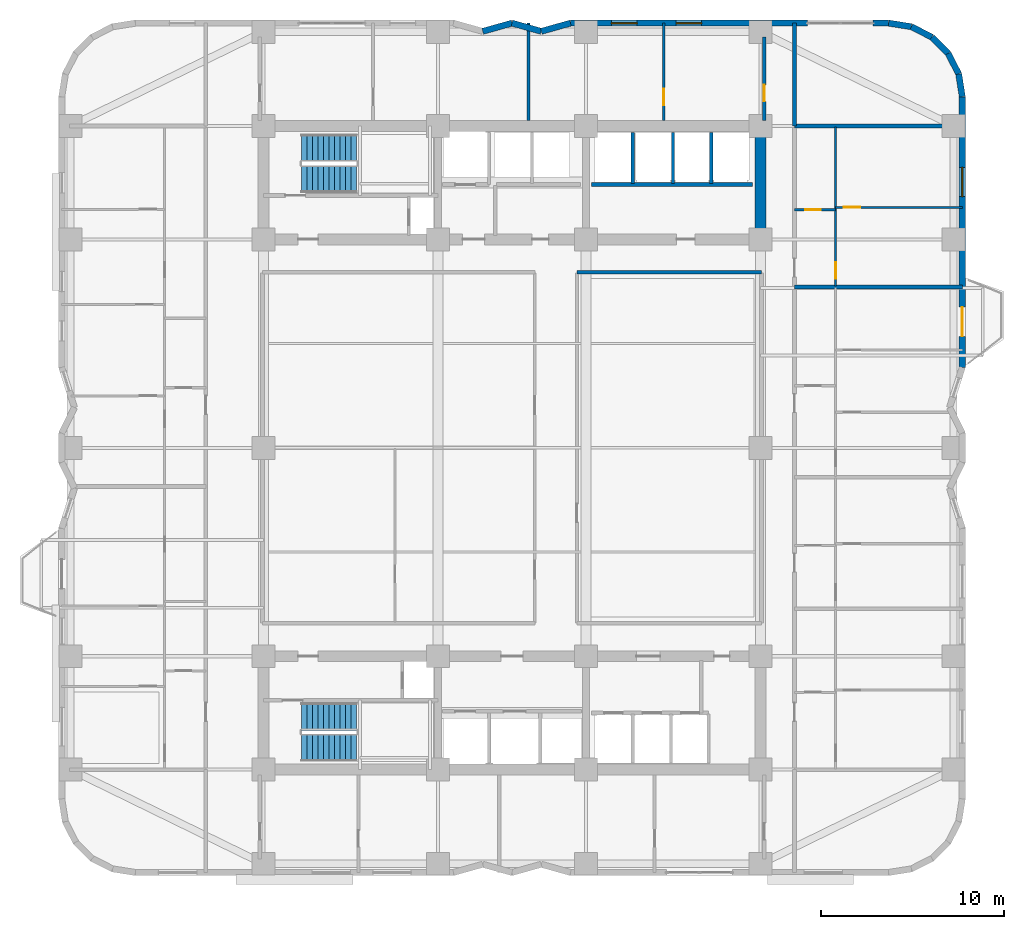
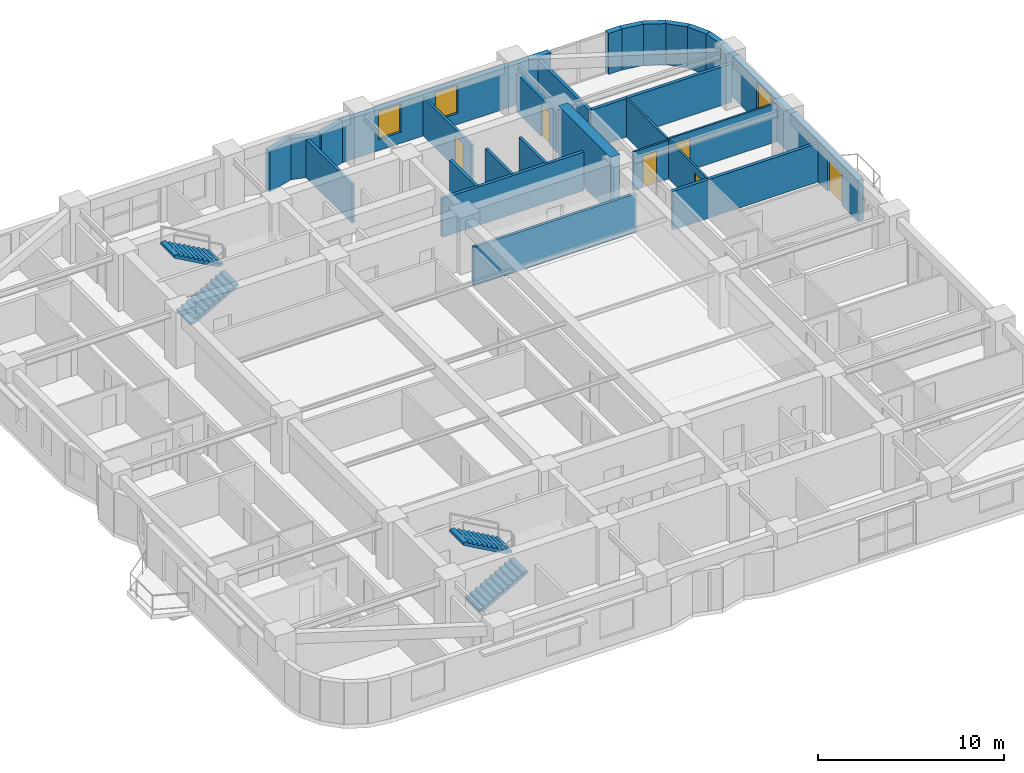
# One storey, part 10 of 13: 26 walls, 6 doors, 4 stair flights, 3 windows, 9 openings, 2 elements without a shape of their own.
"""IFC4 building model written with IfcOpenShell, lengths in metres."""

from ifc_helpers import new_model, si_unit, direction, frame, frame_2d, origin, place, context, subcontext, project, spatial, polyline, rectangle, outline, extrude, material, layer, layer_set, type_object, element, fill, aggregate, save


model = new_model("IFC4")

# Units and contexts
model_context = context("Model", 3, precision=1e-05, world=origin(), true_north=direction((0.0, 1.0)))
body_context = subcontext(model_context, "Body", "Model", "MODEL_VIEW")
ifc_project = project(units=[si_unit("LENGTHUNIT", "METRE"), si_unit("AREAUNIT", "SQUARE_METRE"), si_unit("VOLUMEUNIT", "CUBIC_METRE"), si_unit("PLANEANGLEUNIT", "RADIAN"), si_unit("MASSUNIT", "GRAM", prefix="KILO")], contexts=[model_context])

# Site, building, storey
site_placement = place(None, origin())
site = spatial("IfcSite", under=ifc_project, at=site_placement, CompositionType="ELEMENT")
building_placement = place(site_placement, origin())
building = spatial("IfcBuilding", under=site, at=building_placement, Name="Svetorya Sky Lyceum", CompositionType="ELEMENT")
storey_placement = place(building_placement, frame((0.0, 0.0, 58.39990234375)))
storey = spatial("IfcBuildingStorey", under=building, at=storey_placement, Name="L14", CompositionType="ELEMENT", Elevation=58.39990234375)

# Wall
ifc_material_1 = material(Name="Concrete C60/75", Category="concrete")
ifc_layer_1 = layer(ifc_material_1, 0.60009765625)
ifc_layer_set_1 = layer_set([ifc_layer_1], Name="Concrete C60/75")
wall_type_1 = type_object("IfcWallType", Name="WL-CORE-600", PredefinedType="SHEAR", material=ifc_layer_set_1)
wall_1_placement = place(storey_placement, frame((52.800048828125, 39.89990234375, 0.0), z_axis=(0.0, 0.0, 1.0), x_axis=(0.0, 1.0, 0.0)))
element("IfcWall", 1, at=wall_1_placement, inside=storey, type_object=wall_type_1, Name="L14 NC East Core Shear Wall", PredefinedType="SHEAR", context=body_context, shape_type="SweptSolid", body=[
    extrude(rectangle(XDim=5.60009765625, YDim=0.60009765625, at=frame_2d((2.800048828125, 0.0))), origin(), (0.0, 0.0, 1.0), 3.7001953125),
])

# Wall, openings, door, window
ifc_material_2 = material(Name="Putilovo limestone rainscreen on autoclaved cellular masonry", Category="masonry")
ifc_layer_2 = layer(ifc_material_2, 0.340087890625)
ifc_layer_set_2 = layer_set([ifc_layer_2], Name="Putilovo limestone rainscreen on autoclaved cellular masonry")
wall_type_2 = type_object("IfcWallType", Name="WL-EXT-340", PredefinedType="SOLIDWALL", material=ifc_layer_set_2)
wall_2_placement = place(storey_placement, frame((63.830078125, 32.60009765625, 0.0), z_axis=(0.0, 0.0, 1.0), x_axis=(0.0, 1.0, 0.0)))
wall_2 = element("IfcWall", 2, at=wall_2_placement, inside=storey, type_object=wall_type_2, Name="L14 Limestone Exterior Wall 23M", PredefinedType="SOLIDWALL", context=body_context, shape_type="SweptSolid", body=[
    extrude(rectangle(XDim=14.7998046875, YDim=0.340087890625, at=frame_2d((7.39990234375, 0.0))), origin(), (0.0, 0.0, 1.0), 2.7001953125),
])
opening_1_placement = place(wall_2_placement, frame((1.699951171875, 0.0, 0.0)))
opening_1 = element("IfcOpeningElement", 3, at=opening_1_placement, cuts=wall_2, Name="Opening D-BL1", PredefinedType="OPENING", context=body_context, shape_type="SweptSolid", body=[
    extrude(rectangle(XDim=1.60009765625, YDim=2.10009765625, at=frame_2d((0.800048828125, 1.050048828125))), frame((0.0, 0.179931640625, 0.0), z_axis=(0.0, -1.0, 0.0), x_axis=(1.0, 0.0, 0.0)), (0.0, 0.0, 1.0), 0.360107421875),
])
opening_2_placement = place(wall_2_placement, frame((9.33740234375, 0.0, 0.679931640625)))
opening_2 = element("IfcOpeningElement", 4, at=opening_2_placement, cuts=wall_2, Name="Opening W-R4", PredefinedType="OPENING", context=body_context, shape_type="SweptSolid", body=[
    extrude(rectangle(XDim=1.60009765625, YDim=1.89990234375, at=frame_2d((0.800048828125, 0.949951171875))), frame((0.0, 0.179931640625, 0.0), z_axis=(0.0, -1.0, 0.0), x_axis=(1.0, 0.0, 0.0)), (0.0, 0.0, 1.0), 0.360107421875),
])
ifc_material_3 = material(Name="Insulated glazed aluminium balcony door", Category="aluminium")
door_type_1 = type_object("IfcDoorType", Name="DR-BAL-1600", OperationType="DOUBLE_DOOR_SINGLE_SWING", PredefinedType="DOOR", material=ifc_material_3)
door_1_placement = place(opening_1_placement, origin())
door_1 = element("IfcDoor", 5, at=door_1_placement, inside=storey, type_object=door_type_1, Name="L14 Balcony BAL-E1 Door", OperationType="DOUBLE_DOOR_SINGLE_SWING", OverallHeight=2.10009765625, OverallWidth=1.60009765625, PredefinedType="DOOR", context=body_context, shape_type="SweptSolid", body=[
    extrude(rectangle(XDim=1.60009765625, YDim=2.10009765625, at=frame_2d((0.800048828125, 1.050048828125))), frame((0.0, 0.02490234375, 0.0), z_axis=(0.0, -1.0, 0.0), x_axis=(1.0, 0.0, 0.0)), (0.0, 0.0, 1.0), 0.050048828125),
])
fill(opening_1, door_1)
ifc_material_4 = material(Name="Thermally broken aluminium frame with triple low-E glazing", Category="aluminium")
window_type_1 = type_object("IfcWindowType", Name="WN-RES-160", PartitioningType="DOUBLE_PANEL_VERTICAL", PredefinedType="WINDOW", material=ifc_material_4)
window_1_placement = place(opening_2_placement, origin())
window_1 = element("IfcWindow", 6, at=window_1_placement, inside=storey, type_object=window_type_1, Name="L14 Facade Window W-R4.23M.1", OverallHeight=1.89990234375, OverallWidth=1.60009765625, PartitioningType="SINGLE_PANEL", PredefinedType="WINDOW", context=body_context, shape_type="SweptSolid", body=[
    extrude(rectangle(XDim=1.60009765625, YDim=1.89990234375, at=frame_2d((0.800048828125, 0.949951171875))), frame((0.0, 0.030029296875, 0.0), z_axis=(0.0, -1.0, 0.0), x_axis=(1.0, 0.0, 0.0)), (0.0, 0.0, 1.0), 0.06005859375),
])
fill(opening_2, window_1)

# Walls
for number, where, z_axis, x_axis, name in (
    (7, (63.830078125, 47.39990234375, 0.0), (0.0, 0.0, 1.0), (-0.15644975923, 0.987685918112, 0.0), "L14 Limestone Exterior Wall 24M"),
    (8, (63.6328125, 48.645263671875, 0.0), (0.0, 0.0, 1.0), (-0.454015689056, 0.890993689142, 0.0), "L14 Limestone Exterior Wall 25M"),
    (9, (63.060302734375, 49.768798828125, 0.0), (0.0, 0.0, 1.0), (-0.707106781187, 0.707106781187, 0.0), "L14 Limestone Exterior Wall 26M"),
):
    element("IfcWall", number, at=place(storey_placement, frame(where, z_axis=z_axis, x_axis=x_axis)), inside=storey, type_object=wall_type_2, Name=name, PredefinedType="SOLIDWALL", context=body_context, shape_type="SweptSolid", body=[
        extrude(rectangle(XDim=1.260986328125, YDim=0.340087890625, at=frame_2d((0.63037109375, 0.0))), origin(), (0.0, 0.0, 1.0), 2.7001953125),
    ])
for number, where, z_axis, x_axis, name in (
    (10, (62.168701171875, 50.660400390625, 0.0), (0.0, 0.0, 1.0), (-0.890953769915, 0.454094020963, 0.0), "L14 Limestone Exterior Wall 27M"),
    (11, (61.04541015625, 51.23291015625, 0.0), (0.0, 0.0, 1.0), (-0.98771582066, 0.156260864002, 0.0), "L14 Limestone Exterior Wall 28M"),
):
    element("IfcWall", number, at=place(storey_placement, frame(where, z_axis=z_axis, x_axis=x_axis)), inside=storey, type_object=wall_type_2, Name=name, PredefinedType="SOLIDWALL", context=body_context, shape_type="SweptSolid", body=[
        extrude(rectangle(XDim=1.2607421875, YDim=0.340087890625, at=frame_2d((0.63037109375, 0.0))), origin(), (0.0, 0.0, 1.0), 2.7001953125),
    ])
wall_3_placement = place(storey_placement, frame((59.800048828125, 51.429931640625, 0.0), z_axis=(0.0, 0.0, 1.0), x_axis=(-1.0, 0.0, 0.0)))
element("IfcWall", 12, at=wall_3_placement, inside=storey, type_object=wall_type_2, Name="L14 Limestone Exterior Wall 29A", PredefinedType="SOLIDWALL", context=body_context, shape_type="SweptSolid", body=[
    extrude(rectangle(XDim=0.85009765625, YDim=0.340087890625, at=frame_2d((0.425048828125, 0.0))), origin(), (0.0, 0.0, 1.0), 2.7001953125),
])

# Wall, openings, windows
wall_4_placement = place(storey_placement, frame((55.35009765625, 51.429931640625, 0.0), z_axis=(0.0, 0.0, 1.0), x_axis=(-1.0, 0.0, 0.0)))
wall_4 = element("IfcWall", 13, at=wall_4_placement, inside=storey, type_object=wall_type_2, Name="L14 Limestone Exterior Wall 29B", PredefinedType="SOLIDWALL", context=body_context, shape_type="SweptSolid", body=[
    extrude(rectangle(XDim=12.9501953125, YDim=0.340087890625, at=frame_2d((6.47509765625, 0.0))), origin(), (0.0, 0.0, 1.0), 2.7001953125),
])
opening_3_placement = place(wall_4_placement, frame((5.77490234375, 0.0, 0.72998046875)))
opening_3 = element("IfcOpeningElement", 14, at=opening_3_placement, cuts=wall_4, Name="Opening W-R2", PredefinedType="OPENING", context=body_context, shape_type="SweptSolid", body=[
    extrude(rectangle(XDim=1.39990234375, YDim=1.85009765625, at=frame_2d((0.699951171875, 0.925048828125))), frame((0.0, 0.179931640625, 0.0), z_axis=(0.0, -1.0, 0.0), x_axis=(1.0, 0.0, 0.0)), (0.0, 0.0, 1.0), 0.360107421875),
])
opening_4_placement = place(wall_4_placement, frame((9.308349609375, 0.0, 0.72998046875)))
opening_4 = element("IfcOpeningElement", 15, at=opening_4_placement, cuts=wall_4, Name="Opening W-R2", PredefinedType="OPENING", context=body_context, shape_type="SweptSolid", body=[
    extrude(rectangle(XDim=1.39990234375, YDim=1.85009765625, at=frame_2d((0.699951171875, 0.925048828125))), frame((0.0, 0.179931640625, 0.0), z_axis=(0.0, -1.0, 0.0), x_axis=(1.0, 0.0, 0.0)), (0.0, 0.0, 1.0), 0.360107421875),
])
window_type_2 = type_object("IfcWindowType", Name="WN-RES-140", PartitioningType="SINGLE_PANEL", PredefinedType="WINDOW", material=ifc_material_4)
window_2_placement = place(opening_3_placement, origin())
window_2 = element("IfcWindow", 16, at=window_2_placement, inside=storey, type_object=window_type_2, Name="L14 Facade Window W-R2.29B.1", OverallHeight=1.85009765625, OverallWidth=1.39990234375, PartitioningType="SINGLE_PANEL", PredefinedType="WINDOW", context=body_context, shape_type="SweptSolid", body=[
    extrude(rectangle(XDim=1.39990234375, YDim=1.85009765625, at=frame_2d((0.699951171875, 0.925048828125))), frame((0.0, 0.030029296875, 0.0), z_axis=(0.0, -1.0, 0.0), x_axis=(1.0, 0.0, 0.0)), (0.0, 0.0, 1.0), 0.06005859375),
])
fill(opening_3, window_2)
window_3_placement = place(opening_4_placement, origin())
window_3 = element("IfcWindow", 17, at=window_3_placement, inside=storey, type_object=window_type_2, Name="L14 Facade Window W-R2.29B.2", OverallHeight=1.85009765625, OverallWidth=1.39990234375, PartitioningType="SINGLE_PANEL", PredefinedType="WINDOW", context=body_context, shape_type="SweptSolid", body=[
    extrude(rectangle(XDim=1.39990234375, YDim=1.85009765625, at=frame_2d((0.699951171875, 0.925048828125))), frame((0.0, 0.030029296875, 0.0), z_axis=(0.0, -1.0, 0.0), x_axis=(1.0, 0.0, 0.0)), (0.0, 0.0, 1.0), 0.06005859375),
])
fill(opening_4, window_3)

# Walls
wall_5_placement = place(storey_placement, frame((42.39990234375, 51.429931640625, 0.0), z_axis=(0.0, 0.0, 1.0), x_axis=(-0.962652136636, -0.270741322725, 0.0)))
element("IfcWall", 18, at=wall_5_placement, inside=storey, type_object=wall_type_2, Name="L14 Limestone Exterior Wall 30M", PredefinedType="SOLIDWALL", context=body_context, shape_type="SweptSolid", body=[
    extrude(rectangle(XDim=1.661865234375, YDim=0.340087890625, at=frame_2d((0.8310546875, 0.0))), origin(), (0.0, 0.0, 1.0), 2.7001953125),
])
wall_6_placement = place(storey_placement, frame((40.800048828125, 50.97998046875, 0.0), z_axis=(0.0, 0.0, 1.0), x_axis=(-0.962662902433, 0.270703040766, 0.0)))
element("IfcWall", 19, at=wall_6_placement, inside=storey, type_object=wall_type_2, Name="L14 Limestone Exterior Wall 31M", PredefinedType="SOLIDWALL", context=body_context, shape_type="SweptSolid", body=[
    extrude(rectangle(XDim=1.662109375, YDim=0.340087890625, at=frame_2d((0.8310546875, 0.0))), origin(), (0.0, 0.0, 1.0), 2.7001953125),
])
wall_7_placement = place(storey_placement, frame((39.199951171875, 51.429931640625, 0.0), z_axis=(0.0, 0.0, 1.0), x_axis=(-0.962652136636, -0.270741322725, 0.0)))
element("IfcWall", 20, at=wall_7_placement, inside=storey, type_object=wall_type_2, Name="L14 Limestone Exterior Wall 32M", PredefinedType="SOLIDWALL", context=body_context, shape_type="SweptSolid", body=[
    extrude(rectangle(XDim=1.661865234375, YDim=0.340087890625, at=frame_2d((0.8310546875, 0.0))), origin(), (0.0, 0.0, 1.0), 2.7001953125),
])

# Wall, opening, door
ifc_material_5 = material(Name="Twin-stud galvanized framing with double fireboard", Category="gypsum")
ifc_layer_3 = layer(ifc_material_5, 0.1201171875)
ifc_layer_set_3 = layer_set([ifc_layer_3], Name="Twin-stud galvanized framing with double fireboard")
wall_type_3 = type_object("IfcWallType", Name="WL-PART-120", PredefinedType="PARTITIONING", material=ifc_layer_set_3)
wall_8_placement = place(storey_placement, frame((54.64990234375, 41.219970703125, 0.0), z_axis=(0.0, 0.0, 1.0), x_axis=(1.0, 0.0, 0.0)))
wall_8 = element("IfcWall", 21, at=wall_8_placement, inside=storey, type_object=wall_type_3, Name="L14 Interior Partition E4-WH1", PredefinedType="PARTITIONING", context=body_context, shape_type="SweptSolid", body=[
    extrude(rectangle(XDim=2.25, YDim=0.1201171875, at=frame_2d((1.125, 0.0))), origin(), (0.0, 0.0, 1.0), 2.530029296875),
])
opening_5_placement = place(wall_8_placement, frame((0.60009765625, 0.0, 0.0)))
opening_5 = element("IfcOpeningElement", 22, at=opening_5_placement, cuts=wall_8, Name="Opening D-BT1", PredefinedType="OPENING", context=body_context, shape_type="SweptSolid", body=[
    extrude(rectangle(XDim=0.85009765625, YDim=2.10009765625, at=frame_2d((0.425048828125, 1.050048828125))), frame((0.0, 0.070068359375, 0.0), z_axis=(0.0, -1.0, 0.0), x_axis=(1.0, 0.0, 0.0)), (0.0, 0.0, 1.0), 0.14013671875),
])
ifc_material_6 = material(Name="Moisture-resistant laminate bathroom door")
door_type_2 = type_object("IfcDoorType", Name="DR-WET-850", OperationType="SINGLE_SWING_LEFT", PredefinedType="DOOR", material=ifc_material_6)
door_2_placement = place(opening_5_placement, origin())
door_2 = element("IfcDoor", 23, at=door_2_placement, inside=storey, type_object=door_type_2, Name="Apartment E4 Bathroom Door", OperationType="SINGLE_SWING_LEFT", OverallHeight=2.10009765625, OverallWidth=0.85009765625, PredefinedType="DOOR", context=body_context, shape_type="SweptSolid", body=[
    extrude(rectangle(XDim=0.85009765625, YDim=2.10009765625, at=frame_2d((0.425048828125, 1.050048828125))), frame((0.0, 0.02490234375, 0.0), z_axis=(0.0, -1.0, 0.0), x_axis=(1.0, 0.0, 0.0)), (0.0, 0.0, 1.0), 0.050048828125),
])
fill(opening_5, door_2)

wall_9_placement = place(storey_placement, frame((56.89990234375, 41.35009765625, 0.0), z_axis=(0.0, 0.0, 1.0), x_axis=(1.0, 0.0, 0.0)))
wall_9 = element("IfcWall", 24, at=wall_9_placement, inside=storey, type_object=wall_type_3, Name="L14 Interior Partition E4-WL1", PredefinedType="PARTITIONING", context=body_context, shape_type="SweptSolid", body=[
    extrude(rectangle(XDim=6.93017578125, YDim=0.1201171875, at=frame_2d((3.465087890625, 0.0))), origin(), (0.0, 0.0, 1.0), 2.530029296875),
])
opening_6_placement = place(wall_9_placement, frame((0.449951171875, 0.0, 0.0)))
opening_6 = element("IfcOpeningElement", 25, at=opening_6_placement, cuts=wall_9, Name="Opening D-RM1", PredefinedType="OPENING", context=body_context, shape_type="SweptSolid", body=[
    extrude(rectangle(XDim=0.89990234375, YDim=2.10009765625, at=frame_2d((0.449951171875, 1.050048828125))), frame((0.0, 0.070068359375, 0.0), z_axis=(0.0, -1.0, 0.0), x_axis=(1.0, 0.0, 0.0)), (0.0, 0.0, 1.0), 0.14013671875),
])
ifc_material_7 = material(Name="Lacquered birch veneer internal door")
door_type_3 = type_object("IfcDoorType", Name="DR-INT-900", OperationType="SINGLE_SWING_LEFT", PredefinedType="DOOR", material=ifc_material_7)
door_3_placement = place(opening_6_placement, origin())
door_3 = element("IfcDoor", 26, at=door_3_placement, inside=storey, type_object=door_type_3, Name="Apartment E4 Bedroom 1 Door", OperationType="SINGLE_SWING_LEFT", OverallHeight=2.10009765625, OverallWidth=0.89990234375, PredefinedType="DOOR", context=body_context, shape_type="SweptSolid", body=[
    extrude(rectangle(XDim=0.89990234375, YDim=2.10009765625, at=frame_2d((0.449951171875, 1.050048828125))), frame((0.0, 0.02490234375, 0.0), z_axis=(0.0, -1.0, 0.0), x_axis=(1.0, 0.0, 0.0)), (0.0, 0.0, 1.0), 0.050048828125),
])
fill(opening_6, door_3)

wall_10_placement = place(storey_placement, frame((56.89990234375, 37.0400390625, 0.0), z_axis=(0.0, 0.0, 1.0), x_axis=(0.0, 1.0, 0.0)))
wall_10 = element("IfcWall", 27, at=wall_10_placement, inside=storey, type_object=wall_type_3, Name="L14 Interior Partition E4-WV", PredefinedType="PARTITIONING", context=body_context, shape_type="SweptSolid", body=[
    extrude(rectangle(XDim=8.719970703125, YDim=0.1201171875, at=frame_2d((4.35986328125, 0.0))), origin(), (0.0, 0.0, 1.0), 2.530029296875),
])
opening_7_placement = place(wall_10_placement, frame((0.409912109375, 0.0, 0.0)))
opening_7 = element("IfcOpeningElement", 28, at=opening_7_placement, cuts=wall_10, Name="Opening D-RM1", PredefinedType="OPENING", context=body_context, shape_type="SweptSolid", body=[
    extrude(rectangle(XDim=0.89990234375, YDim=2.10009765625, at=frame_2d((0.449951171875, 1.050048828125))), frame((0.0, 0.070068359375, 0.0), z_axis=(0.0, -1.0, 0.0), x_axis=(1.0, 0.0, 0.0)), (0.0, 0.0, 1.0), 0.14013671875),
])
door_4_placement = place(opening_7_placement, origin())
door_4 = element("IfcDoor", 29, at=door_4_placement, inside=storey, type_object=door_type_3, Name="Apartment E4 Living Door", OperationType="SINGLE_SWING_RIGHT", OverallHeight=2.10009765625, OverallWidth=0.89990234375, PredefinedType="DOOR", context=body_context, shape_type="SweptSolid", body=[
    extrude(rectangle(XDim=0.89990234375, YDim=2.10009765625, at=frame_2d((0.449951171875, 1.050048828125))), frame((0.0, 0.02490234375, 0.0), z_axis=(0.0, -1.0, 0.0), x_axis=(1.0, 0.0, 0.0)), (0.0, 0.0, 1.0), 0.050048828125),
])
fill(opening_7, door_4)

ifc_material_8 = material(Name="Autoclaved cellular masonry blockwork with acoustic render", Category="masonry")
ifc_layer_4 = layer(ifc_material_8, 0.14990234375)
ifc_layer_set_4 = layer_set([ifc_layer_4], Name="Autoclaved cellular masonry blockwork with acoustic render")
wall_type_4 = type_object("IfcWallType", Name="WL-PART-150", PredefinedType="PARTITIONING", material=ifc_layer_set_4)
wall_11_placement = place(storey_placement, frame((47.5, 46.10009765625, 0.0), z_axis=(0.0, 0.0, 1.0), x_axis=(0.0, 1.0, 0.0)))
wall_11 = element("IfcWall", 30, at=wall_11_placement, inside=storey, type_object=wall_type_4, Name="L14 Interior Partition N4-D3", PredefinedType="PARTITIONING", context=body_context, shape_type="SweptSolid", body=[
    extrude(rectangle(XDim=5.329833984375, YDim=0.14990234375, at=frame_2d((2.6650390625, 0.0))), origin(), (0.0, 0.0, 1.0), 2.530029296875),
])
opening_8_placement = place(wall_11_placement, frame((0.85009765625, 0.0, 0.0)))
opening_8 = element("IfcOpeningElement", 31, at=opening_8_placement, cuts=wall_11, Name="Opening D-RM1", PredefinedType="OPENING", context=body_context, shape_type="SweptSolid", body=[
    extrude(rectangle(XDim=0.89990234375, YDim=2.10009765625, at=frame_2d((0.449951171875, 1.050048828125))), frame((0.0, 0.0849609375, 0.0), z_axis=(0.0, -1.0, 0.0), x_axis=(1.0, 0.0, 0.0)), (0.0, 0.0, 1.0), 0.169921875),
])
door_5_placement = place(opening_8_placement, origin())
door_5 = element("IfcDoor", 32, at=door_5_placement, inside=storey, type_object=door_type_3, Name="L14 North Suite Door 3", OperationType="SINGLE_SWING_RIGHT", OverallHeight=2.10009765625, OverallWidth=0.89990234375, PredefinedType="DOOR", context=body_context, shape_type="SweptSolid", body=[
    extrude(rectangle(XDim=0.89990234375, YDim=2.10009765625, at=frame_2d((0.449951171875, 1.050048828125))), frame((0.0, 0.02490234375, 0.0), z_axis=(0.0, -1.0, 0.0), x_axis=(1.0, 0.0, 0.0)), (0.0, 0.0, 1.0), 0.050048828125),
])
fill(opening_8, door_5)

# Walls
ifc_material_9 = material(Name="Autoclaved cellular masonry blockwork with fire render", Category="masonry")
ifc_layer_5 = layer(ifc_material_9, 0.175048828125)
ifc_layer_set_5 = layer_set([ifc_layer_5], Name="Autoclaved cellular masonry blockwork with fire render")
wall_type_5 = type_object("IfcWallType", Name="WL-PART-175", PredefinedType="PARTITIONING", material=ifc_layer_set_5)
for number, where, z_axis, x_axis, name in (
    (33, (45.800048828125, 42.64990234375, 0.0), (0.0, 0.0, 1.0), (0.0, 1.0, 0.0), "L14 Interior Partition NC-PM3-D"),
    (34, (48.0, 42.64990234375, 0.0), (0.0, 0.0, 1.0), (0.0, 1.0, 0.0), "L14 Interior Partition NC-PH-D1"),
    (35, (50.10009765625, 42.64990234375, 0.0), (0.0, 0.0, 1.0), (0.0, 1.0, 0.0), "L14 Interior Partition NC-PH-D2"),
):
    element("IfcWall", number, at=place(storey_placement, frame(where, z_axis=z_axis, x_axis=x_axis)), inside=storey, type_object=wall_type_5, Name=name, PredefinedType="PARTITIONING", context=body_context, shape_type="SweptSolid", body=[
        extrude(rectangle(XDim=2.800048828125, YDim=0.175048828125, at=frame_2d((1.39990234375, 0.0))), origin(), (0.0, 0.0, 1.0), 2.530029296875),
    ])
wall_12_placement = place(storey_placement, frame((42.75, 37.800048828125, 0.0), z_axis=(0.0, 0.0, 1.0), x_axis=(1.0, 0.0, 0.0)))
element("IfcWall", 36, at=wall_12_placement, inside=storey, type_object=wall_type_5, Name="L14 Interior Partition CN-MID-E", PredefinedType="PARTITIONING", context=body_context, shape_type="SweptSolid", body=[
    extrude(rectangle(XDim=10.10009765625, YDim=0.175048828125, at=frame_2d((5.050048828125, 0.0))), origin(), (0.0, 0.0, 1.0), 2.530029296875),
])
wall_13_placement = place(storey_placement, frame((40.10009765625, 46.10009765625, 0.0), z_axis=(0.0, 0.0, 1.0), x_axis=(0.0, 1.0, 0.0)))
element("IfcWall", 37, at=wall_13_placement, inside=storey, type_object=wall_type_5, Name="L14 Interior Partition N4-D2", PredefinedType="PARTITIONING", context=body_context, shape_type="SweptSolid", body=[
    extrude(rectangle(XDim=5.329833984375, YDim=0.175048828125, at=frame_2d((2.6650390625, 0.0))), origin(), (0.0, 0.0, 1.0), 2.530029296875),
])
ifc_material_10 = material(Name="Autoclaved cellular masonry blockwork with gypsum plaster", Category="masonry")
ifc_layer_6 = layer(ifc_material_10, 0.199951171875)
ifc_layer_set_6 = layer_set([ifc_layer_6], Name="Autoclaved cellular masonry blockwork with gypsum plaster")
wall_type_6 = type_object("IfcWallType", Name="WL-PART-200", PredefinedType="PARTITIONING", material=ifc_layer_set_6)
wall_14_placement = place(storey_placement, frame((52.35009765625, 42.60009765625, 0.0), z_axis=(0.0, 0.0, 1.0), x_axis=(-1.0, 0.0, 0.0)))
element("IfcWall", 38, at=wall_14_placement, inside=storey, type_object=wall_type_6, Name="L14 Interior Partition NC-PHEW", PredefinedType="PARTITIONING", context=body_context, shape_type="SweptSolid", body=[
    extrude(rectangle(XDim=8.800048828125, YDim=0.199951171875, at=frame_2d((4.39990234375, 0.0))), origin(), (0.0, 0.0, 1.0), 2.530029296875),
])
wall_15_placement = place(storey_placement, frame((54.64990234375, 37.0, 0.0), z_axis=(0.0, 0.0, 1.0), x_axis=(1.0, 0.0, 0.0)))
element("IfcWall", 39, at=wall_15_placement, inside=storey, type_object=wall_type_6, Name="L14 Interior Partition E-PARTY-3", PredefinedType="PARTITIONING", context=body_context, shape_type="SweptSolid", body=[
    extrude(rectangle(XDim=9.18017578125, YDim=0.199951171875, at=frame_2d((4.590087890625, 0.0))), origin(), (0.0, 0.0, 1.0), 2.530029296875),
])
wall_16_placement = place(storey_placement, frame((54.64990234375, 45.800048828125, 0.0), z_axis=(0.0, 0.0, 1.0), x_axis=(1.0, 0.0, 0.0)))
element("IfcWall", 40, at=wall_16_placement, inside=storey, type_object=wall_type_6, Name="L14 Interior Partition E-CAP-N", PredefinedType="PARTITIONING", context=body_context, shape_type="SweptSolid", body=[
    extrude(rectangle(XDim=8.760009765625, YDim=0.199951171875, at=frame_2d((4.3798828125, 0.0))), origin(), (0.0, 0.0, 1.0), 2.530029296875),
])
wall_17_placement = place(storey_placement, frame((54.64990234375, 45.800048828125, 0.0), z_axis=(0.0, 0.0, 1.0), x_axis=(0.0, 1.0, 0.0)))
element("IfcWall", 41, at=wall_17_placement, inside=storey, type_object=wall_type_6, Name="L14 Interior Partition EC-NE-END", PredefinedType="PARTITIONING", context=body_context, shape_type="SweptSolid", body=[
    extrude(rectangle(XDim=5.6298828125, YDim=0.199951171875, at=frame_2d((2.81494140625, 0.0))), origin(), (0.0, 0.0, 1.0), 2.530029296875),
])

# Wall, opening, door
wall_18_placement = place(storey_placement, frame((53.0, 46.10009765625, 0.0), z_axis=(0.0, 0.0, 1.0), x_axis=(0.0, 1.0, 0.0)))
wall_18 = element("IfcWall", 42, at=wall_18_placement, inside=storey, type_object=wall_type_6, Name="L14 Interior Partition N4-EE", PredefinedType="PARTITIONING", context=body_context, shape_type="SweptSolid", body=[
    extrude(rectangle(XDim=4.579833984375, YDim=0.199951171875, at=frame_2d((2.2900390625, 0.0))), origin(), (0.0, 0.0, 1.0), 2.530029296875),
])
opening_9_placement = place(wall_18_placement, frame((1.050048828125, 0.0, 0.0)))
opening_9 = element("IfcOpeningElement", 43, at=opening_9_placement, cuts=wall_18, Name="Opening D-RM1", PredefinedType="OPENING", context=body_context, shape_type="SweptSolid", body=[
    extrude(rectangle(XDim=0.89990234375, YDim=2.10009765625, at=frame_2d((0.449951171875, 1.050048828125))), frame((0.0, 0.10986328125, 0.0), z_axis=(0.0, -1.0, 0.0), x_axis=(1.0, 0.0, 0.0)), (0.0, 0.0, 1.0), 0.219970703125),
])
door_6_placement = place(opening_9_placement, origin())
door_6 = element("IfcDoor", 44, at=door_6_placement, inside=storey, type_object=door_type_3, Name="L14 NE Office Door", OperationType="SINGLE_SWING_LEFT", OverallHeight=2.10009765625, OverallWidth=0.89990234375, PredefinedType="DOOR", context=body_context, shape_type="SweptSolid", body=[
    extrude(rectangle(XDim=0.89990234375, YDim=2.10009765625, at=frame_2d((0.449951171875, 1.050048828125))), frame((0.0, 0.02490234375, 0.0), z_axis=(0.0, -1.0, 0.0), x_axis=(1.0, 0.0, 0.0)), (0.0, 0.0, 1.0), 0.050048828125),
])
fill(opening_9, door_6)

# Stair, stair flights
ifc_material_11 = material(Name="Concrete C40/50", Category="concrete")
stair_type_1 = type_object("IfcStairType", Name="STR-ST-N", PredefinedType="HALF_TURN_STAIR", material=ifc_material_11)
stair_1_placement = place(storey_placement, origin())
stair_1 = element("IfcStair", 45, at=stair_1_placement, inside=storey, type_object=stair_type_1, Name="L14 North Core Smoke-Free Exit Stair N3", PredefinedType="HALF_TURN_STAIR")
stair_flight_type_1 = type_object("IfcStairFlightType", Name="SFL-ST-N", PredefinedType="STRAIGHT", material=ifc_material_11)
stair_flight_1_placement = place(storey_placement, frame((27.699951171875, 42.89990234375, 0.0), z_axis=(0.0, 0.0, 1.0), x_axis=(1.0, 0.0, 0.0)))
stair_flight_1 = element("IfcStairFlight", 46, at=stair_flight_1_placement, type_object=stair_flight_type_1, Name="ST-N flight 1", NumberOfRisers=11, NumberOfTreads=10, PredefinedType="STRAIGHT", RiserHeight=0.168181818, TreadLength=0.3, context=body_context, shape_type="SweptSolid", body=[
    extrude(outline(polyline([(0.0, 0.0), (0.0, 0.168212890625), (0.300048828125, 0.168212890625), (0.300048828125, 0.33642578125), (0.60009765625, 0.33642578125), (0.60009765625, 0.504638671875), (0.89990234375, 0.504638671875), (0.89990234375, 0.672607421875), (1.199951171875, 0.672607421875), (1.199951171875, 0.8408203125), (1.5, 0.8408203125), (1.5, 1.009033203125), (1.800048828125, 1.009033203125), (1.800048828125, 1.17724609375), (2.10009765625, 1.17724609375), (2.10009765625, 1.345458984375), (2.39990234375, 1.345458984375), (2.39990234375, 1.513671875), (2.699951171875, 1.513671875), (2.699951171875, 1.681884765625), (3.0, 1.681884765625), (3.0, 1.85009765625), (3.0, 1.510009765625), (0.306640625, 0.0), (0.0, 0.0)])), frame((0.0, 0.75, 0.0), z_axis=(0.0, -1.0, 0.0), x_axis=(1.0, 0.0, 0.0)), (0.0, 0.0, 1.0), 1.5),
])
stair_flight_2_placement = place(storey_placement, frame((30.699951171875, 44.60009765625, 1.85009765625), z_axis=(0.0, 0.0, 1.0), x_axis=(-1.0, 0.0, 0.0)))
stair_flight_2 = element("IfcStairFlight", 47, at=stair_flight_2_placement, type_object=stair_flight_type_1, Name="ST-N flight 2", NumberOfRisers=11, NumberOfTreads=10, PredefinedType="STRAIGHT", RiserHeight=0.168181818, TreadLength=0.3, context=body_context, shape_type="SweptSolid", body=[
    extrude(outline(polyline([(0.0, 0.0), (0.0, 0.168212890625), (0.300048828125, 0.168212890625), (0.300048828125, 0.33642578125), (0.60009765625, 0.33642578125), (0.60009765625, 0.504638671875), (0.89990234375, 0.504638671875), (0.89990234375, 0.672607421875), (1.199951171875, 0.672607421875), (1.199951171875, 0.8408203125), (1.5, 0.8408203125), (1.5, 1.009033203125), (1.800048828125, 1.009033203125), (1.800048828125, 1.17724609375), (2.10009765625, 1.17724609375), (2.10009765625, 1.345458984375), (2.39990234375, 1.345458984375), (2.39990234375, 1.513671875), (2.699951171875, 1.513671875), (2.699951171875, 1.681884765625), (3.0, 1.681884765625), (3.0, 1.85009765625), (3.0, 1.510009765625), (0.306640625, 0.0), (0.0, 0.0)])), frame((0.0, 0.75, 0.0), z_axis=(0.0, -1.0, 0.0), x_axis=(1.0, 0.0, 0.0)), (0.0, 0.0, 1.0), 1.5),
])
aggregate(stair_1, [stair_flight_1, stair_flight_2])

stair_type_2 = type_object("IfcStairType", Name="STR-ST-S", PredefinedType="HALF_TURN_STAIR", material=ifc_material_11)
stair_2_placement = place(storey_placement, origin())
stair_2 = element("IfcStair", 48, at=stair_2_placement, inside=storey, type_object=stair_type_2, Name="L14 South Core Smoke-Free Exit Stair N2", PredefinedType="HALF_TURN_STAIR")
stair_flight_type_2 = type_object("IfcStairFlightType", Name="SFL-ST-S", PredefinedType="STRAIGHT", material=ifc_material_11)
stair_flight_3_placement = place(storey_placement, frame((27.699951171875, 11.800048828125, 0.0), z_axis=(0.0, 0.0, 1.0), x_axis=(1.0, 0.0, 0.0)))
stair_flight_3 = element("IfcStairFlight", 49, at=stair_flight_3_placement, type_object=stair_flight_type_2, Name="ST-S flight 1", NumberOfRisers=11, NumberOfTreads=10, PredefinedType="STRAIGHT", RiserHeight=0.168181818, TreadLength=0.3, context=body_context, shape_type="SweptSolid", body=[
    extrude(outline(polyline([(0.0, 0.0), (0.0, 0.168212890625), (0.300048828125, 0.168212890625), (0.300048828125, 0.33642578125), (0.60009765625, 0.33642578125), (0.60009765625, 0.504638671875), (0.89990234375, 0.504638671875), (0.89990234375, 0.672607421875), (1.199951171875, 0.672607421875), (1.199951171875, 0.8408203125), (1.5, 0.8408203125), (1.5, 1.009033203125), (1.800048828125, 1.009033203125), (1.800048828125, 1.17724609375), (2.10009765625, 1.17724609375), (2.10009765625, 1.345458984375), (2.39990234375, 1.345458984375), (2.39990234375, 1.513671875), (2.699951171875, 1.513671875), (2.699951171875, 1.681884765625), (3.0, 1.681884765625), (3.0, 1.85009765625), (3.0, 1.510009765625), (0.306640625, 0.0), (0.0, 0.0)])), frame((0.0, 0.75, 0.0), z_axis=(0.0, -1.0, 0.0), x_axis=(1.0, 0.0, 0.0)), (0.0, 0.0, 1.0), 1.5),
])
stair_flight_4_placement = place(storey_placement, frame((30.699951171875, 13.5, 1.85009765625), z_axis=(0.0, 0.0, 1.0), x_axis=(-1.0, 0.0, 0.0)))
stair_flight_4 = element("IfcStairFlight", 50, at=stair_flight_4_placement, type_object=stair_flight_type_2, Name="ST-S flight 2", NumberOfRisers=11, NumberOfTreads=10, PredefinedType="STRAIGHT", RiserHeight=0.168181818, TreadLength=0.3, context=body_context, shape_type="SweptSolid", body=[
    extrude(outline(polyline([(0.0, 0.0), (0.0, 0.168212890625), (0.300048828125, 0.168212890625), (0.300048828125, 0.33642578125), (0.60009765625, 0.33642578125), (0.60009765625, 0.504638671875), (0.89990234375, 0.504638671875), (0.89990234375, 0.672607421875), (1.199951171875, 0.672607421875), (1.199951171875, 0.8408203125), (1.5, 0.8408203125), (1.5, 1.009033203125), (1.800048828125, 1.009033203125), (1.800048828125, 1.17724609375), (2.10009765625, 1.17724609375), (2.10009765625, 1.345458984375), (2.39990234375, 1.345458984375), (2.39990234375, 1.513671875), (2.699951171875, 1.513671875), (2.699951171875, 1.681884765625), (3.0, 1.681884765625), (3.0, 1.85009765625), (3.0, 1.510009765625), (0.306640625, 0.0), (0.0, 0.0)])), frame((0.0, 0.75, 0.0), z_axis=(0.0, -1.0, 0.0), x_axis=(1.0, 0.0, 0.0)), (0.0, 0.0, 1.0), 1.5),
])
aggregate(stair_2, [stair_flight_3, stair_flight_4])

save(model, "model.ifc")
